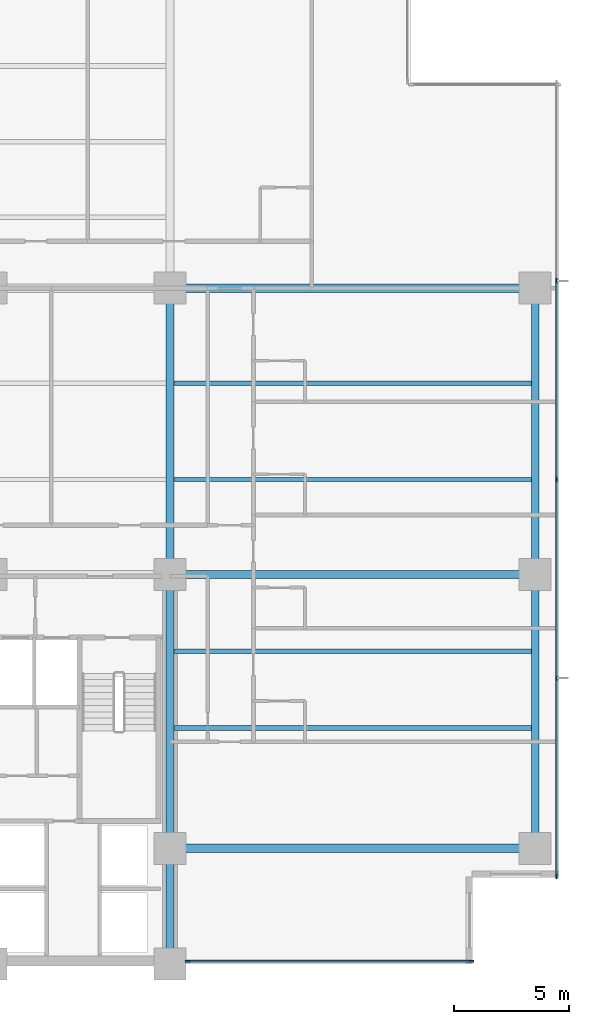
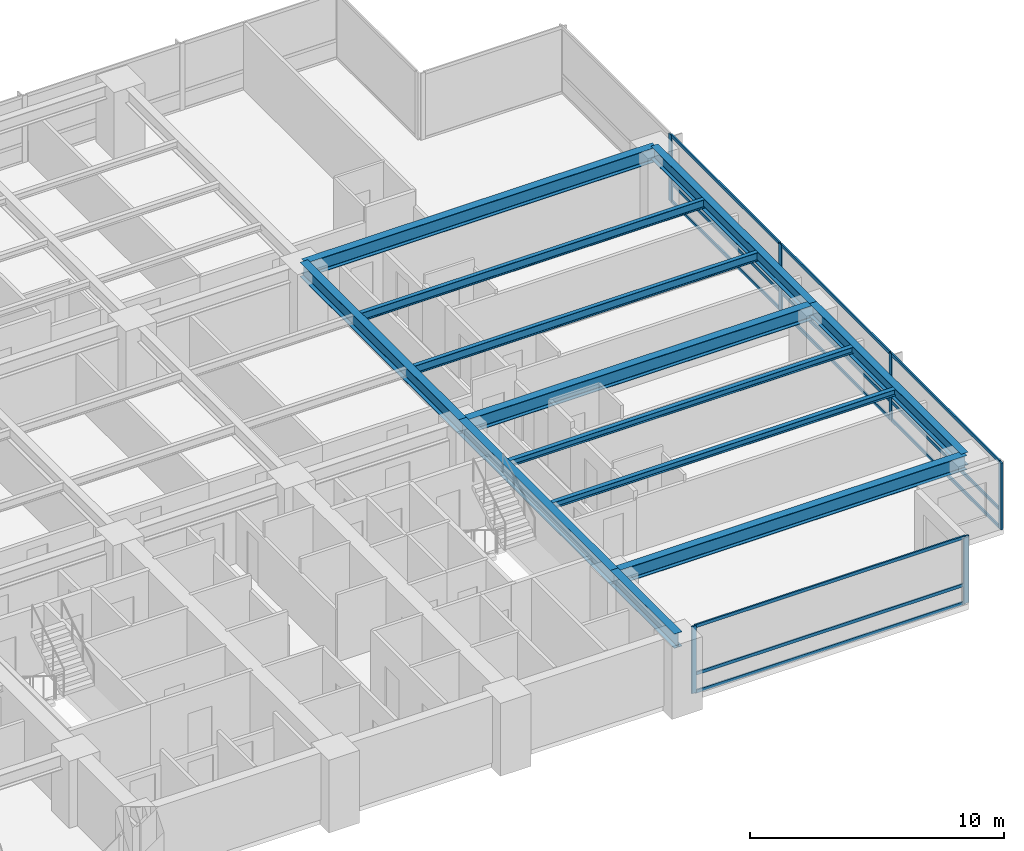
# One storey, part 3 of 16: 18 members, 12 beams, 2 elements without a shape of their own.
"""IFC4 building model written with IfcOpenShell, lengths in metres."""

from ifc_helpers import new_model, si_unit, direction, frame, origin, origin_2d, place, context, subcontext, project, spatial, rectangle, i_section, extrude, material, layer, layer_set, material_profile, profile_set, type_object, element, aggregate, save


model = new_model("IFC4")

# Units and contexts
model_context = context("Model", 3, precision=1e-05, world=origin(), true_north=direction((0.0, 1.0)))
body_context = subcontext(model_context, "Body", "Model", "MODEL_VIEW")
ifc_project = project(units=[si_unit("LENGTHUNIT", "METRE"), si_unit("AREAUNIT", "SQUARE_METRE"), si_unit("VOLUMEUNIT", "CUBIC_METRE"), si_unit("PLANEANGLEUNIT", "RADIAN"), si_unit("MASSUNIT", "GRAM", prefix="KILO")], contexts=[model_context])

# Site, building, storey
site_placement = place(None, origin())
site = spatial("IfcSite", under=ifc_project, at=site_placement, CompositionType="ELEMENT")
building_placement = place(site_placement, origin())
building = spatial("IfcBuilding", under=site, at=building_placement, Name="Qalmaran Belvedere Hotel", CompositionType="ELEMENT")
storey_placement = place(building_placement, frame((0.0, 0.0, 36.89990234375)))
storey = spatial("IfcBuildingStorey", under=building, at=storey_placement, Name="L08", CompositionType="ELEMENT", Elevation=36.89990234375)

# Beams
ifc_material_1 = material(Name="Steel S355JR", Category="steel")
ifc_material_profile_1 = material_profile(ifc_material_1, i_section(OverallWidth=0.202880859375, OverallDepth=0.302978515625, WebThickness=0.007568359375, FlangeThickness=0.01318359375, FilletRadius=0.012939453125, at=origin_2d()), Name="W310X60")
ifc_profile_set_1 = profile_set([ifc_material_profile_1], Name="Steel S355JR")
beam_type_1 = type_object("IfcBeamType", Name="BM-JST-W310X60", PredefinedType="JOIST", material=ifc_profile_set_1)
for number, where, z_axis, x_axis, name in (
    (1, (44.9755859375, 13.800048828125, 3.068603515625), (1.0, 0.0, 0.0), (0.0, 1.0, 0.0), "L08 East Wing Joist 039"),
    (2, (44.9755859375, 17.14990234375, 3.068603515625), (1.0, 0.0, 0.0), (0.0, 1.0, 0.0), "L08 East Wing Joist 041"),
):
    element("IfcBeam", number, at=place(storey_placement, frame(where, z_axis=z_axis, x_axis=x_axis)), inside=storey, type_object=beam_type_1, Name=name, PredefinedType="JOIST", context=body_context, shape_type="SweptSolid", body=[
        extrude(i_section(OverallWidth=0.202880859375, OverallDepth=0.302978515625, WebThickness=0.007568359375, FlangeThickness=0.01318359375, FilletRadius=0.012939453125, at=origin_2d()), origin(), (0.0, 0.0, 1.0), 15.61279296875),
    ])
ifc_material_profile_2 = material_profile(ifc_material_1, i_section(OverallWidth=0.180908203125, OverallDepth=0.4169921875, WebThickness=0.010986328125, FlangeThickness=0.018310546875, FilletRadius=0.014892578125, at=origin_2d()), Name="W410X85")
ifc_profile_set_2 = profile_set([ifc_material_profile_2], Name="Steel S355JR")
beam_type_2 = type_object("IfcBeamType", Name="BM-SB1-W410X85", PredefinedType="BEAM", material=ifc_profile_set_2)
for number, where, z_axis, x_axis, name in (
    (3, (44.9755859375, 24.64990234375, 3.01171875), (1.0, 0.0, 0.0), (0.0, 1.0, 0.0), "L08 East Secondary Beam 032"),
    (4, (44.9755859375, 28.85009765625, 3.01171875), (1.0, 0.0, 0.0), (0.0, 1.0, 0.0), "L08 East Secondary Beam 037"),
):
    element("IfcBeam", number, at=place(storey_placement, frame(where, z_axis=z_axis, x_axis=x_axis)), inside=storey, type_object=beam_type_2, Name=name, PredefinedType="BEAM", context=body_context, shape_type="SweptSolid", body=[
        extrude(i_section(OverallWidth=0.180908203125, OverallDepth=0.4169921875, WebThickness=0.010986328125, FlangeThickness=0.018310546875, FilletRadius=0.014892578125, at=origin_2d()), origin(), (0.0, 0.0, 1.0), 15.61279296875),
    ])
ifc_material_profile_3 = material_profile(ifc_material_1, i_section(OverallWidth=0.326904296875, OverallDepth=0.6220703125, WebThickness=0.015380859375, FlangeThickness=0.0244140625, FilletRadius=0.02001953125, at=origin_2d()), Name="W610X195")
ifc_profile_set_3 = profile_set([ifc_material_profile_3], Name="Steel S355JR")
beam_type_3 = type_object("IfcBeamType", Name="BM-SP1-W610X195", PredefinedType="SPANDREL", material=ifc_profile_set_3)
beam_1_placement = place(storey_placement, frame((60.75, 8.550048828125, 2.9091796875), z_axis=(0.0, 1.0, 0.0), x_axis=(-1.0, 0.0, 0.0)))
element("IfcBeam", 5, at=beam_1_placement, inside=storey, type_object=beam_type_3, Name="L08 Perimeter Spandrel 03", PredefinedType="SPANDREL", context=body_context, shape_type="SweptSolid", body=[
    extrude(i_section(OverallWidth=0.326904296875, OverallDepth=0.6220703125, WebThickness=0.015380859375, FlangeThickness=0.0244140625, FilletRadius=0.02001953125, at=origin_2d()), origin(), (0.0, 0.0, 1.0), 11.949951171875),
])
beam_2_placement = place(storey_placement, frame((60.75, 20.5, 2.9091796875), z_axis=(0.0, 1.0, 0.0), x_axis=(-1.0, 0.0, 0.0)))
element("IfcBeam", 6, at=beam_2_placement, inside=storey, type_object=beam_type_3, Name="L08 Perimeter Spandrel 04", PredefinedType="SPANDREL", context=body_context, shape_type="SweptSolid", body=[
    extrude(i_section(OverallWidth=0.326904296875, OverallDepth=0.6220703125, WebThickness=0.015380859375, FlangeThickness=0.0244140625, FilletRadius=0.02001953125, at=origin_2d()), origin(), (0.0, 0.0, 1.0), 12.5),
])
ifc_material_profile_4 = material_profile(ifc_material_1, i_section(OverallWidth=0.35498046875, OverallDepth=0.695068359375, WebThickness=0.015380859375, FlangeThickness=0.02490234375, FilletRadius=0.02197265625, at=origin_2d()), Name="W690X217")
ifc_profile_set_4 = profile_set([ifc_material_profile_4], Name="Steel S355JR")
beam_type_4 = type_object("IfcBeamType", Name="BM-Z1-W690X217", PredefinedType="USERDEFINED", material=ifc_profile_set_4)
beam_3_placement = place(storey_placement, frame((44.800048828125, 20.5, 2.87255859375), z_axis=(0.0, 1.0, 0.0), x_axis=(-1.0, 0.0, 0.0)))
element("IfcBeam", 7, at=beam_3_placement, inside=storey, type_object=beam_type_4, Name="L08 Mid-Plate N-S Girder 20", ObjectType="GIRDER", PredefinedType="USERDEFINED", context=body_context, shape_type="SweptSolid", body=[
    extrude(i_section(OverallWidth=0.35498046875, OverallDepth=0.695068359375, WebThickness=0.015380859375, FlangeThickness=0.02490234375, FilletRadius=0.02197265625, at=origin_2d()), origin(), (0.0, 0.0, 1.0), 12.5),
])
beam_4_placement = place(storey_placement, frame((44.800048828125, 3.5, 2.87255859375), z_axis=(0.0, 1.0, 0.0), x_axis=(-1.0, 0.0, 0.0)))
element("IfcBeam", 8, at=beam_4_placement, inside=storey, type_object=beam_type_4, Name="L08 East Core Edge Girder A", ObjectType="GIRDER", PredefinedType="USERDEFINED", context=body_context, shape_type="SweptSolid", body=[
    extrude(i_section(OverallWidth=0.35498046875, OverallDepth=0.695068359375, WebThickness=0.015380859375, FlangeThickness=0.02490234375, FilletRadius=0.02197265625, at=origin_2d()), origin(), (0.0, 0.0, 1.0), 5.050048828125),
])
beam_5_placement = place(storey_placement, frame((44.800048828125, 8.550048828125, 2.87255859375), z_axis=(0.0, 1.0, 0.0), x_axis=(-1.0, 0.0, 0.0)))
element("IfcBeam", 9, at=beam_5_placement, inside=storey, type_object=beam_type_4, Name="L08 East Core Edge Girder B", ObjectType="GIRDER", PredefinedType="USERDEFINED", context=body_context, shape_type="SweptSolid", body=[
    extrude(i_section(OverallWidth=0.35498046875, OverallDepth=0.695068359375, WebThickness=0.015380859375, FlangeThickness=0.02490234375, FilletRadius=0.02197265625, at=origin_2d()), origin(), (0.0, 0.0, 1.0), 11.949951171875),
])
for number, where, z_axis, x_axis, name in (
    (10, (44.800048828125, 8.550048828125, 2.87255859375), (1.0, 0.0, 0.0), (0.0, 1.0, 0.0), "L08 East Wing Girder 25"),
    (11, (44.800048828125, 20.5, 2.87255859375), (1.0, 0.0, 0.0), (0.0, 1.0, 0.0), "L08 East Wing Girder 26"),
    (12, (44.800048828125, 33.0, 2.87255859375), (1.0, 0.0, 0.0), (0.0, 1.0, 0.0), "L08 East Wing Girder 27"),
):
    element("IfcBeam", number, at=place(storey_placement, frame(where, z_axis=z_axis, x_axis=x_axis)), inside=storey, type_object=beam_type_4, Name=name, ObjectType="GIRDER", PredefinedType="USERDEFINED", context=body_context, shape_type="SweptSolid", body=[
        extrude(i_section(OverallWidth=0.35498046875, OverallDepth=0.695068359375, WebThickness=0.015380859375, FlangeThickness=0.02490234375, FilletRadius=0.02197265625, at=origin_2d()), origin(), (0.0, 0.0, 1.0), 15.949951171875),
    ])

# Curtain wall, members
ifc_material_2 = material(Name="Anodised Bronze Aluminium", Category="aluminium")
ifc_layer = layer(ifc_material_2, 0.2099609375, Name="Anodised Bronze Aluminium")
ifc_layer_set = layer_set([ifc_layer], Name="Anodised Bronze Aluminium")
curtain_wall_type = type_object("IfcCurtainWallType", Name="CW2-TOWER-LOWER", PredefinedType="NOTDEFINED", material=ifc_layer_set)
curtain_wall_1_placement = place(storey_placement, origin())
curtain_wall_1 = element("IfcCurtainWall", 13, at=curtain_wall_1_placement, inside=storey, type_object=curtain_wall_type, Name="L08 Curtain Wall CW2", PredefinedType="NOTDEFINED")
ifc_material_profile_5 = material_profile(ifc_material_2, rectangle(XDim=0.074951171875, YDim=0.219970703125, at=origin_2d()), Name="CWM75X220")
ifc_profile_set_5 = profile_set([ifc_material_profile_5], Name="Anodised Bronze Aluminium")
member_type_1 = type_object("IfcMemberType", Name="CWM-75X220", PredefinedType="MULLION", material=ifc_profile_set_5)
member_1_placement = place(storey_placement, frame((45.577392578125, 3.6201171875, 0.0), z_axis=(0.0, 0.0, 1.0), x_axis=(0.0, 1.0, 0.0)))
member_1 = element("IfcMember", 14, at=member_1_placement, type_object=member_type_1, Name="CW2 mullion 1", PredefinedType="MULLION", context=body_context, shape_type="SweptSolid", body=[
    extrude(rectangle(XDim=0.074951171875, YDim=0.219970703125, at=origin_2d()), origin(), (0.0, 0.0, 1.0), 3.22021484375),
])
member_2_placement = place(storey_placement, frame((57.96240234375, 3.6201171875, 0.0), z_axis=(0.0, 0.0, 1.0), x_axis=(0.0, 1.0, 0.0)))
member_2 = element("IfcMember", 15, at=member_2_placement, type_object=member_type_1, Name="CW2 mullion 2", PredefinedType="MULLION", context=body_context, shape_type="SweptSolid", body=[
    extrude(rectangle(XDim=0.074951171875, YDim=0.219970703125, at=origin_2d()), origin(), (0.0, 0.0, 1.0), 3.22021484375),
])

curtain_wall_2_placement = place(storey_placement, origin())
curtain_wall_2 = element("IfcCurtainWall", 16, at=curtain_wall_2_placement, inside=storey, type_object=curtain_wall_type, Name="L08 Curtain Wall CW2", PredefinedType="NOTDEFINED")
member_3_placement = place(storey_placement, frame((61.679931640625, 7.33740234375, 0.0), z_axis=(0.0, 0.0, 1.0), x_axis=(-1.0, 0.0, 0.0)))
member_3 = element("IfcMember", 17, at=member_3_placement, type_object=member_type_1, Name="CW2 mullion 1", PredefinedType="MULLION", context=body_context, shape_type="SweptSolid", body=[
    extrude(rectangle(XDim=0.074951171875, YDim=0.219970703125, at=origin_2d()), origin(), (0.0, 0.0, 1.0), 3.22021484375),
])
member_4_placement = place(storey_placement, frame((61.679931640625, 15.97509765625, 0.0), z_axis=(0.0, 0.0, 1.0), x_axis=(-1.0, 0.0, 0.0)))
member_4 = element("IfcMember", 18, at=member_4_placement, type_object=member_type_1, Name="CW2 mullion 2", PredefinedType="MULLION", context=body_context, shape_type="SweptSolid", body=[
    extrude(rectangle(XDim=0.074951171875, YDim=0.219970703125, at=origin_2d()), origin(), (0.0, 0.0, 1.0), 3.22021484375),
])
member_5_placement = place(storey_placement, frame((61.679931640625, 24.64990234375, 0.0), z_axis=(0.0, 0.0, 1.0), x_axis=(-1.0, 0.0, 0.0)))
member_5 = element("IfcMember", 19, at=member_5_placement, type_object=member_type_1, Name="CW2 mullion 3", PredefinedType="MULLION", context=body_context, shape_type="SweptSolid", body=[
    extrude(rectangle(XDim=0.074951171875, YDim=0.219970703125, at=origin_2d()), origin(), (0.0, 0.0, 1.0), 3.22021484375),
])
member_6_placement = place(storey_placement, frame((61.679931640625, 33.324951171875, 0.0), z_axis=(0.0, 0.0, 1.0), x_axis=(-1.0, 0.0, 0.0)))
member_6 = element("IfcMember", 20, at=member_6_placement, type_object=member_type_1, Name="CW2 mullion 4", PredefinedType="MULLION", context=body_context, shape_type="SweptSolid", body=[
    extrude(rectangle(XDim=0.074951171875, YDim=0.219970703125, at=origin_2d()), origin(), (0.0, 0.0, 1.0), 3.22021484375),
])

# Member
ifc_material_profile_6 = material_profile(ifc_material_2, rectangle(XDim=0.070068359375, YDim=0.14990234375, at=origin_2d()), Name="CWT70X150")
ifc_profile_set_6 = profile_set([ifc_material_profile_6], Name="Anodised Bronze Aluminium")
member_type_2 = type_object("IfcMemberType", Name="CWT-70X150", PredefinedType="USERDEFINED", material=ifc_profile_set_6)
member_7_placement = place(storey_placement, frame((45.614990234375, 3.6201171875, 0.03515625), z_axis=(1.0, 0.0, 0.0), x_axis=(0.0, 1.0, 0.0)))
member_7 = element("IfcMember", 21, at=member_7_placement, type_object=member_type_2, Name="CW2 transom 1.1", ObjectType="TRANSOM", PredefinedType="USERDEFINED", context=body_context, shape_type="SweptSolid", body=[
    extrude(rectangle(XDim=0.070068359375, YDim=0.14990234375, at=origin_2d()), origin(), (0.0, 0.0, 1.0), 12.31005859375),
])

member_8_placement = place(storey_placement, frame((45.614990234375, 3.6201171875, 0.901611328125), z_axis=(1.0, 0.0, 0.0), x_axis=(0.0, 1.0, 0.0)))
member_8 = element("IfcMember", 22, at=member_8_placement, type_object=member_type_2, Name="CW2 transom 1.2", ObjectType="TRANSOM", PredefinedType="USERDEFINED", context=body_context, shape_type="SweptSolid", body=[
    extrude(rectangle(XDim=0.070068359375, YDim=0.14990234375, at=origin_2d()), origin(), (0.0, 0.0, 1.0), 12.31005859375),
])

member_9_placement = place(storey_placement, frame((45.614990234375, 3.6201171875, 3.18505859375), z_axis=(1.0, 0.0, 0.0), x_axis=(0.0, 1.0, 0.0)))
member_9 = element("IfcMember", 23, at=member_9_placement, type_object=member_type_2, Name="CW2 transom 1.3", ObjectType="TRANSOM", PredefinedType="USERDEFINED", context=body_context, shape_type="SweptSolid", body=[
    extrude(rectangle(XDim=0.070068359375, YDim=0.14990234375, at=origin_2d()), origin(), (0.0, 0.0, 1.0), 12.31005859375),
])

aggregate(curtain_wall_1, [member_1, member_2, member_7, member_8, member_9])

member_10_placement = place(storey_placement, frame((61.679931640625, 7.375, 0.03515625), z_axis=(0.0, 1.0, 0.0), x_axis=(-1.0, 0.0, 0.0)))
member_10 = element("IfcMember", 24, at=member_10_placement, type_object=member_type_2, Name="CW2 transom 1.1", ObjectType="TRANSOM", PredefinedType="USERDEFINED", context=body_context, shape_type="SweptSolid", body=[
    extrude(rectangle(XDim=0.070068359375, YDim=0.14990234375, at=origin_2d()), origin(), (0.0, 0.0, 1.0), 8.5625),
])

member_11_placement = place(storey_placement, frame((61.679931640625, 7.375, 0.901611328125), z_axis=(0.0, 1.0, 0.0), x_axis=(-1.0, 0.0, 0.0)))
member_11 = element("IfcMember", 25, at=member_11_placement, type_object=member_type_2, Name="CW2 transom 1.2", ObjectType="TRANSOM", PredefinedType="USERDEFINED", context=body_context, shape_type="SweptSolid", body=[
    extrude(rectangle(XDim=0.070068359375, YDim=0.14990234375, at=origin_2d()), origin(), (0.0, 0.0, 1.0), 8.5625),
])

member_12_placement = place(storey_placement, frame((61.679931640625, 7.375, 3.18505859375), z_axis=(0.0, 1.0, 0.0), x_axis=(-1.0, 0.0, 0.0)))
member_12 = element("IfcMember", 26, at=member_12_placement, type_object=member_type_2, Name="CW2 transom 1.3", ObjectType="TRANSOM", PredefinedType="USERDEFINED", context=body_context, shape_type="SweptSolid", body=[
    extrude(rectangle(XDim=0.070068359375, YDim=0.14990234375, at=origin_2d()), origin(), (0.0, 0.0, 1.0), 8.5625),
])

member_13_placement = place(storey_placement, frame((61.679931640625, 16.012451171875, 0.03515625), z_axis=(0.0, 1.0, 0.0), x_axis=(-1.0, 0.0, 0.0)))
member_13 = element("IfcMember", 27, at=member_13_placement, type_object=member_type_2, Name="CW2 transom 2.1", ObjectType="TRANSOM", PredefinedType="USERDEFINED", context=body_context, shape_type="SweptSolid", body=[
    extrude(rectangle(XDim=0.070068359375, YDim=0.14990234375, at=origin_2d()), origin(), (0.0, 0.0, 1.0), 8.60009765625),
])

member_14_placement = place(storey_placement, frame((61.679931640625, 16.012451171875, 0.901611328125), z_axis=(0.0, 1.0, 0.0), x_axis=(-1.0, 0.0, 0.0)))
member_14 = element("IfcMember", 28, at=member_14_placement, type_object=member_type_2, Name="CW2 transom 2.2", ObjectType="TRANSOM", PredefinedType="USERDEFINED", context=body_context, shape_type="SweptSolid", body=[
    extrude(rectangle(XDim=0.070068359375, YDim=0.14990234375, at=origin_2d()), origin(), (0.0, 0.0, 1.0), 8.60009765625),
])

member_15_placement = place(storey_placement, frame((61.679931640625, 16.012451171875, 3.18505859375), z_axis=(0.0, 1.0, 0.0), x_axis=(-1.0, 0.0, 0.0)))
member_15 = element("IfcMember", 29, at=member_15_placement, type_object=member_type_2, Name="CW2 transom 2.3", ObjectType="TRANSOM", PredefinedType="USERDEFINED", context=body_context, shape_type="SweptSolid", body=[
    extrude(rectangle(XDim=0.070068359375, YDim=0.14990234375, at=origin_2d()), origin(), (0.0, 0.0, 1.0), 8.60009765625),
])

member_16_placement = place(storey_placement, frame((61.679931640625, 24.6875, 0.03515625), z_axis=(0.0, 1.0, 0.0), x_axis=(-1.0, 0.0, 0.0)))
member_16 = element("IfcMember", 30, at=member_16_placement, type_object=member_type_2, Name="CW2 transom 3.1", ObjectType="TRANSOM", PredefinedType="USERDEFINED", context=body_context, shape_type="SweptSolid", body=[
    extrude(rectangle(XDim=0.070068359375, YDim=0.14990234375, at=origin_2d()), origin(), (0.0, 0.0, 1.0), 8.60009765625),
])

member_17_placement = place(storey_placement, frame((61.679931640625, 24.6875, 0.901611328125), z_axis=(0.0, 1.0, 0.0), x_axis=(-1.0, 0.0, 0.0)))
member_17 = element("IfcMember", 31, at=member_17_placement, type_object=member_type_2, Name="CW2 transom 3.2", ObjectType="TRANSOM", PredefinedType="USERDEFINED", context=body_context, shape_type="SweptSolid", body=[
    extrude(rectangle(XDim=0.070068359375, YDim=0.14990234375, at=origin_2d()), origin(), (0.0, 0.0, 1.0), 8.60009765625),
])

member_18_placement = place(storey_placement, frame((61.679931640625, 24.6875, 3.18505859375), z_axis=(0.0, 1.0, 0.0), x_axis=(-1.0, 0.0, 0.0)))
member_18 = element("IfcMember", 32, at=member_18_placement, type_object=member_type_2, Name="CW2 transom 3.3", ObjectType="TRANSOM", PredefinedType="USERDEFINED", context=body_context, shape_type="SweptSolid", body=[
    extrude(rectangle(XDim=0.070068359375, YDim=0.14990234375, at=origin_2d()), origin(), (0.0, 0.0, 1.0), 8.60009765625),
])

aggregate(curtain_wall_2, [member_3, member_4, member_5, member_6, member_10, member_11, member_12, member_13, member_14, member_15, member_16, member_17, member_18])

save(model, "model.ifc")
